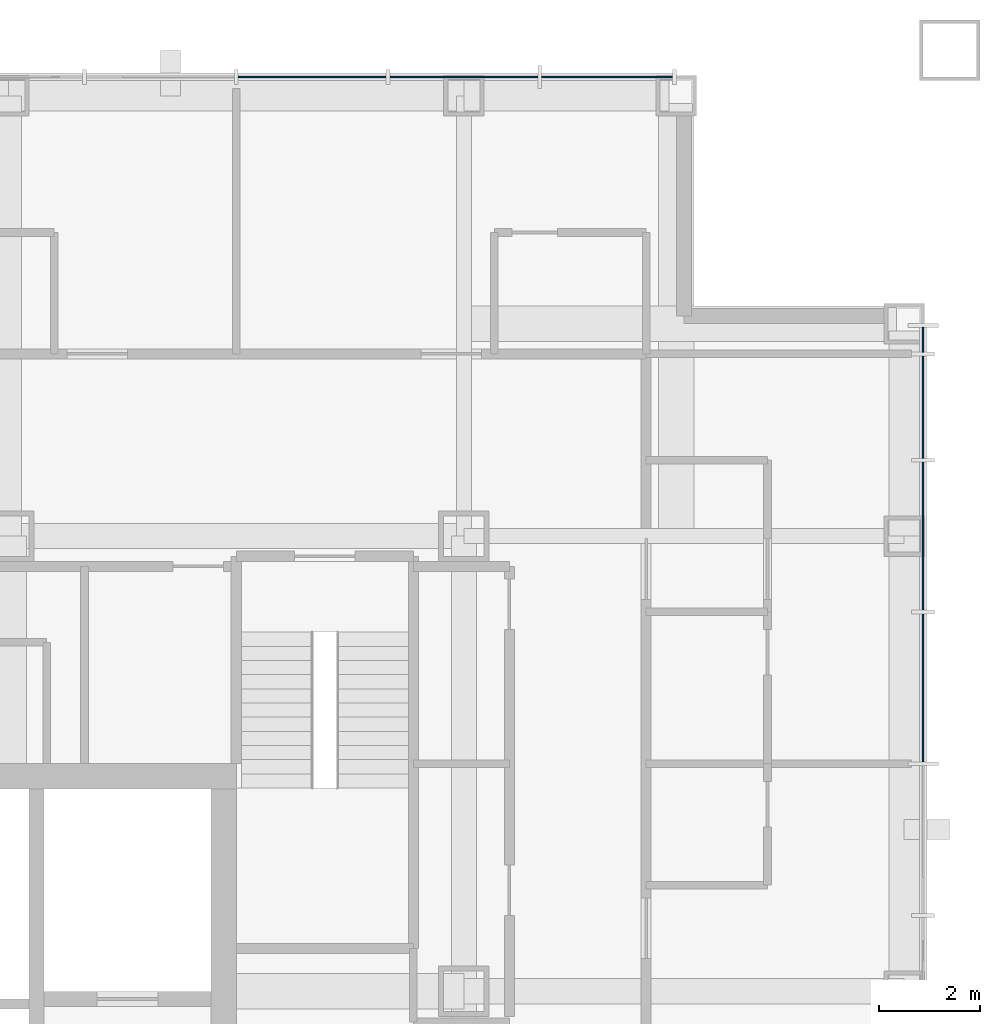
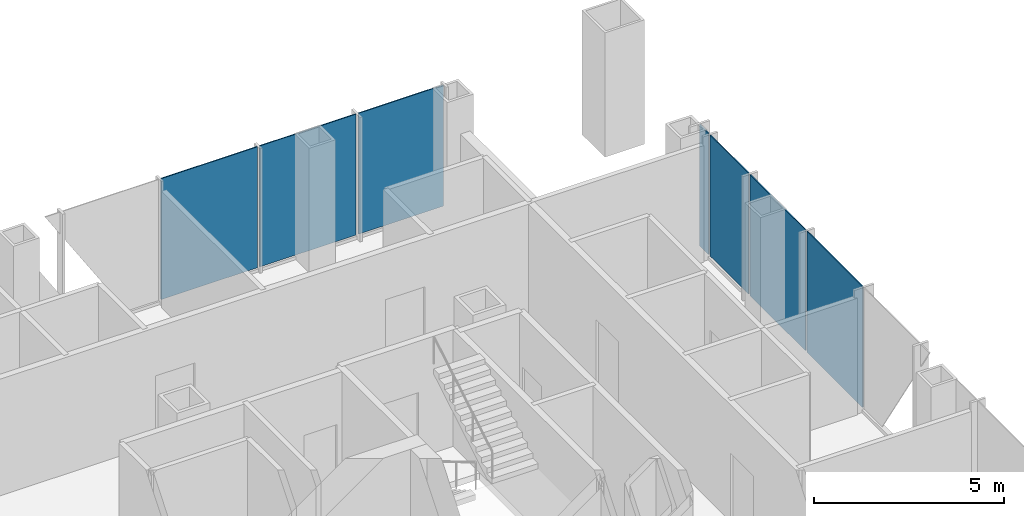
# One storey, part 11 of 20: 7 plates, 2 elements without a shape of their own.
"""IFC4 building model written with IfcOpenShell, lengths in metres."""

import ifcopenshell
import ifcopenshell.guid

model = None  # the IFC model being written
_history = None  # IfcOwnerHistory: only IFC2X3 demands one
_inside = {}  # id of a spatial element -> (the spatial element, [elements in it])
_under = {}  # id of a project, library or spatial element -> (it, [spatial elements below it])
_declared = {}  # id of a project -> (the project, [libraries it declares])
_typed = {}  # id of a type object -> (the type object, [elements of that type])
_made_of = {}  # id of a material, layer set ... -> (it, [elements and type objects made of it])


def new_model(schema):
    """Start an empty IFC model of exactly this schema.

    Asked for "IFC4X3", IfcOpenShell would pick the latest addendum, in which some entities
    have other attributes; the version numbers below select the first issue.
    IFC2X3 requires an IfcOwnerHistory on every rooted entity: one is made here for all.
    """
    global model, _history
    if schema == "IFC4X3":
        model = ifcopenshell.file(schema_version=(4, 3, 0, 0))
    else:
        model = ifcopenshell.file(schema=schema)
    _inside.clear()
    _under.clear()
    _declared.clear()
    _typed.clear()
    _made_of.clear()
    _history = None
    if model.schema == "IFC2X3":
        org = make("IfcOrganization", Name="unknown")
        user = make(
            "IfcPersonAndOrganization",
            ThePerson=make("IfcPerson", FamilyName="unknown"),
            TheOrganization=org,
        )
        app = make(
            "IfcApplication",
            ApplicationDeveloper=org,
            Version="unknown",
            ApplicationFullName="unknown",
            ApplicationIdentifier="unknown",
        )
        _history = make(
            "IfcOwnerHistory",
            OwningUser=user,
            OwningApplication=app,
            ChangeAction="ADDED",
            CreationDate=0,
        )
    return model


def make(cls, **values):
    """One entity of the class cls with the attributes given. An attribute that is None is left unset."""
    return model.create_entity(
        cls, **{name: value for name, value in values.items() if value is not None}
    )


def rooted(cls, **values):
    """An entity with a GlobalId (a new one), such as an element, a storey or a relation."""
    return make(cls, GlobalId=ifcopenshell.guid.new(), OwnerHistory=_history, **values)


def si_unit(unit_type, name, prefix=None):
    """IfcSIUnit, for example si_unit("LENGTHUNIT", "METRE", prefix="MILLI")."""
    return make("IfcSIUnit", UnitType=unit_type, Prefix=prefix, Name=name)


def assignment(units):
    """IfcUnitAssignment: the units of a project."""
    return None if units is None else make("IfcUnitAssignment", Units=units)


def point(xyz):
    """IfcCartesianPoint."""
    return None if xyz is None else make("IfcCartesianPoint", Coordinates=xyz)


def direction(xyz):
    """IfcDirection."""
    return None if xyz is None else make("IfcDirection", DirectionRatios=xyz)


def frame(location, z_axis=None, x_axis=None):
    """IfcAxis2Placement3D, a coordinate frame: its origin and axes. An axis left out is left unset."""
    return make(
        "IfcAxis2Placement3D",
        Location=point(location),
        Axis=direction(z_axis),
        RefDirection=direction(x_axis),
    )


def frame_2d(location, x_axis=None):
    """IfcAxis2Placement2D, a coordinate frame in the plane: its origin and x axis."""
    return make(
        "IfcAxis2Placement2D", Location=point(location), RefDirection=direction(x_axis)
    )


def origin():
    """The frame at (0, 0, 0) with its axes left unset."""
    return frame((0.0, 0.0, 0.0))


def origin_2d():
    """The frame at (0, 0) in the plane with its x axis left unset."""
    return frame_2d((0.0, 0.0))


def place(relative_to, where):
    """IfcLocalPlacement: puts the frame where relative to a parent placement (None: the world)."""
    return make(
        "IfcLocalPlacement", PlacementRelTo=relative_to, RelativePlacement=where
    )


def context(
    kind, dimensions, precision=None, world=None, true_north=None, identifier=None
):
    """IfcGeometricRepresentationContext, for example the 3D "Model" context."""
    return make(
        "IfcGeometricRepresentationContext",
        ContextIdentifier=identifier,
        ContextType=kind,
        CoordinateSpaceDimension=dimensions,
        Precision=precision,
        WorldCoordinateSystem=world,
        TrueNorth=true_north,
    )


def subcontext(parent, identifier, kind, view, scale=None):
    """IfcGeometricRepresentationSubContext, for example "Body" below "Model"."""
    return make(
        "IfcGeometricRepresentationSubContext",
        ContextIdentifier=identifier,
        ContextType=kind,
        ParentContext=parent,
        TargetScale=scale,
        TargetView=view,
    )


def project(units=None, contexts=None):
    """IfcProject with its units and contexts."""
    return rooted(
        "IfcProject",
        Name="project",
        RepresentationContexts=contexts,
        UnitsInContext=assignment(units),
    )


def spatial(cls, under=None, at=None, **own):
    """A site, building, storey or space (cls), placed at a placement, below another one or the project."""
    s = rooted(cls, ObjectPlacement=at, **own)
    if under is not None:
        _under.setdefault(under.id(), (under, []))[1].append(s)
    return s


def profile(cls, at=None, kind="AREA", **sizes):
    """A parametric profile (cls). Its sizes go by their IFC names, for example OverallWidth=200.0."""
    return make(cls, ProfileType=kind, Position=at, **sizes)


def rectangle(**sizes):
    """IfcRectangleProfileDef."""
    return profile("IfcRectangleProfileDef", **sizes)


def extrude(swept, where, along, depth):
    """IfcExtrudedAreaSolid: the profile swept, set in the frame where, extruded along a direction by depth."""
    return make(
        "IfcExtrudedAreaSolid",
        SweptArea=swept,
        Position=where,
        ExtrudedDirection=direction(along),
        Depth=depth,
    )


def shape(context_of_items, identifier, shape_type, items):
    """IfcShapeRepresentation: the items that make up one representation, for example the "Body"."""
    return make(
        "IfcShapeRepresentation",
        ContextOfItems=context_of_items,
        RepresentationIdentifier=identifier,
        RepresentationType=shape_type,
        Items=items,
    )


def material(Name=None, Category=None):
    """IfcMaterial."""
    return make("IfcMaterial", Name=Name, Category=Category)


def layer(
    of_material, thickness, ventilated=None, Name=None, Category=None, Priority=None
):
    """IfcMaterialLayer: one layer of a wall or slab, of a material (None: an air gap)."""
    return make(
        "IfcMaterialLayer",
        Material=of_material,
        LayerThickness=thickness,
        IsVentilated=ventilated,
        Name=Name,
        Category=Category,
        Priority=Priority,
    )


def layer_set(layers, Name=None):
    """IfcMaterialLayerSet."""
    return make("IfcMaterialLayerSet", MaterialLayers=layers, LayerSetName=Name)


def made_of(thing, what):
    """Note that an element or type object is made of a material, layer set ...; save() writes the relation."""
    if what is not None:
        _made_of.setdefault(what.id(), (what, []))[1].append(thing)
    return thing


def type_object(cls, material=None, **own):
    """A type object (cls), such as IfcWallType, which elements share."""
    return made_of(rooted(cls, **own), material)


def element(
    cls,
    number,
    at=None,
    inside=None,
    cuts=None,
    type_object=None,
    material=None,
    context=None,
    identifier="Body",
    shape_type=None,
    held_by="IfcProductDefinitionShape",
    body=None,
    shapes=None,
    **own,
):
    """One element of the class cls, such as IfcWall. Its Tag is "e" and its number.

    at: its placement. inside: the storey or other place that contains it. cuts: it is an
    opening in that element (IfcRelVoidsElement). A single representation is given by context,
    identifier, shape_type and body (its items); several are given by shapes. held_by: the class
    of the entity that holds the representations. save() writes the other relations.
    """
    e = rooted(cls, Tag="e%d" % number, ObjectPlacement=at, **own)
    if body is not None:
        shapes = [shape(context, identifier, shape_type, body)]
    if shapes is not None:
        e.Representation = make(held_by, Representations=shapes)
    if inside is not None:
        _inside.setdefault(inside.id(), (inside, []))[1].append(e)
    if cuts is not None:
        rooted(
            "IfcRelVoidsElement", RelatingBuildingElement=cuts, RelatedOpeningElement=e
        )
    if type_object is not None:
        _typed.setdefault(type_object.id(), (type_object, []))[1].append(e)
    return made_of(e, material)


def aggregate(whole, parts):
    """IfcRelAggregates: a whole, such as a stair, and the parts it consists of."""
    return rooted("IfcRelAggregates", RelatingObject=whole, RelatedObjects=parts)


def save(model, path):
    """Write the relations noted so far, then the file.

    IfcRelAggregates (storeys below a building ...), IfcRelContainedInSpatialStructure (elements
    in a storey), IfcRelDefinesByType, IfcRelAssociatesMaterial and IfcRelDeclares: one each for
    every whole, place, type object, material and project.
    """
    for whole, parts in _under.values():
        aggregate(whole, parts)
    for where, things in _inside.values():
        rooted(
            "IfcRelContainedInSpatialStructure",
            RelatedElements=things,
            RelatingStructure=where,
        )
    for kind, things in _typed.values():
        rooted("IfcRelDefinesByType", RelatedObjects=things, RelatingType=kind)
    for what, things in _made_of.values():
        rooted("IfcRelAssociatesMaterial", RelatedObjects=things, RelatingMaterial=what)
    for by, libraries in _declared.values():
        rooted("IfcRelDeclares", RelatingContext=by, RelatedDefinitions=libraries)
    model.write(path)


model = new_model("IFC4")

# Units and contexts
model_context = context("Model", 3, precision=1e-05, world=origin(), true_north=direction((0.0, 1.0)))
body_context = subcontext(model_context, "Body", "Model", "MODEL_VIEW")
ifc_project = project(units=[si_unit("LENGTHUNIT", "METRE"), si_unit("AREAUNIT", "SQUARE_METRE"), si_unit("VOLUMEUNIT", "CUBIC_METRE"), si_unit("PLANEANGLEUNIT", "RADIAN"), si_unit("MASSUNIT", "GRAM", prefix="KILO")], contexts=[model_context])

# Site, building, storey
site_placement = place(None, origin())
site = spatial("IfcSite", under=ifc_project, at=site_placement, CompositionType="ELEMENT")
building_placement = place(site_placement, origin())
building = spatial("IfcBuilding", under=site, at=building_placement, Name="Malebo Sky Hospital", CompositionType="ELEMENT")
storey_placement = place(building_placement, frame((0.0, 0.0, 233.0)))
storey = spatial("IfcBuildingStorey", under=building, at=storey_placement, Name="L56", CompositionType="ELEMENT", Elevation=233.0)

# Curtain wall, plates
ifc_material_1 = material(Name="Anodised aluminium, natural silver", Category="aluminium")
ifc_layer_1 = layer(ifc_material_1, 0.25)
ifc_layer_set_1 = layer_set([ifc_layer_1], Name="WARD CURTAIN WALL NORTH AND SOUTH")
curtain_wall_type_1 = type_object("IfcCurtainWallType", Name="WARD CURTAIN WALL NORTH AND SOUTH", PredefinedType="NOTDEFINED", material=ifc_layer_set_1)
curtain_wall_1_placement = place(storey_placement, origin())
curtain_wall_1 = element("IfcCurtainWall", 1, at=curtain_wall_1_placement, inside=storey, type_object=curtain_wall_type_1, Name="NS curtain wall N", PredefinedType="NOTDEFINED")
ifc_material_2 = material(Name="Clear low-iron double glazing", Category="glass")
ifc_layer_2 = layer(ifc_material_2, 0.031982421875)
ifc_layer_set_2 = layer_set([ifc_layer_2], Name="VISION PANEL CLEAR 32")
plate_type = type_object("IfcPlateType", Name="VISION PANEL CLEAR 32", PredefinedType="CURTAIN_PANEL", material=ifc_layer_set_2)
plate_1_placement = place(storey_placement, frame((70.5, 84.574951171875, 0.10009765625), z_axis=(0.0, 0.0, 1.0), x_axis=(1.0, 0.0, 0.0)))
plate_1 = element("IfcPlate", 2, at=plate_1_placement, type_object=plate_type, Name="Panel 11", PredefinedType="CURTAIN_PANEL", context=body_context, shape_type="SweptSolid", body=[
    extrude(rectangle(XDim=2.925048828125, YDim=0.031982421875, at=origin_2d()), origin(), (0.0, 0.0, 1.0), 3.889892578125),
])
plate_2_placement = place(storey_placement, frame((73.5, 84.574951171875, 0.10009765625), z_axis=(0.0, 0.0, 1.0), x_axis=(1.0, 0.0, 0.0)))
plate_2 = element("IfcPlate", 3, at=plate_2_placement, type_object=plate_type, Name="Panel 12", PredefinedType="CURTAIN_PANEL", context=body_context, shape_type="SweptSolid", body=[
    extrude(rectangle(XDim=2.925048828125, YDim=0.031982421875, at=origin_2d()), origin(), (0.0, 0.0, 1.0), 3.889892578125),
])
plate_3_placement = place(storey_placement, frame((76.331298828125, 84.574951171875, 0.10009765625), z_axis=(0.0, 0.0, 1.0), x_axis=(1.0, 0.0, 0.0)))
plate_3 = element("IfcPlate", 4, at=plate_3_placement, type_object=plate_type, Name="Panel 13", PredefinedType="CURTAIN_PANEL", context=body_context, shape_type="SweptSolid", body=[
    extrude(rectangle(XDim=2.58740234375, YDim=0.031982421875, at=origin_2d()), origin(), (0.0, 0.0, 1.0), 3.889892578125),
])
aggregate(curtain_wall_1, [plate_1, plate_2, plate_3])

ifc_layer_3 = layer(ifc_material_1, 0.25)
ifc_layer_set_3 = layer_set([ifc_layer_3], Name="WARD CURTAIN WALL EAST AND WEST")
curtain_wall_type_2 = type_object("IfcCurtainWallType", Name="WARD CURTAIN WALL EAST AND WEST", PredefinedType="NOTDEFINED", material=ifc_layer_set_3)
curtain_wall_2_placement = place(storey_placement, origin())
curtain_wall_2 = element("IfcCurtainWall", 5, at=curtain_wall_2_placement, inside=storey, type_object=curtain_wall_type_2, Name="EW curtain wall E", PredefinedType="NOTDEFINED")
plate_4_placement = place(storey_placement, frame((82.574951171875, 79.38134765625, 0.10009765625), z_axis=(0.0, 0.0, 1.0), x_axis=(0.0, -1.0, 0.0)))
plate_4 = element("IfcPlate", 6, at=plate_4_placement, type_object=plate_type, Name="Panel 1", PredefinedType="CURTAIN_PANEL", context=body_context, shape_type="SweptSolid", body=[
    extrude(rectangle(XDim=0.487548828125, YDim=0.031982421875, at=origin_2d()), origin(), (0.0, 0.0, 1.0), 3.889892578125),
])
plate_5_placement = place(storey_placement, frame((82.574951171875, 78.050048828125, 0.10009765625), z_axis=(0.0, 0.0, 1.0), x_axis=(0.0, -1.0, 0.0)))
plate_5 = element("IfcPlate", 7, at=plate_5_placement, type_object=plate_type, Name="Panel 2", PredefinedType="CURTAIN_PANEL", context=body_context, shape_type="SweptSolid", body=[
    extrude(rectangle(XDim=2.02490234375, YDim=0.031982421875, at=origin_2d()), origin(), (0.0, 0.0, 1.0), 3.889892578125),
])
plate_6_placement = place(storey_placement, frame((82.574951171875, 75.5, 0.10009765625), z_axis=(0.0, 0.0, 1.0), x_axis=(0.0, -1.0, 0.0)))
plate_6 = element("IfcPlate", 8, at=plate_6_placement, type_object=plate_type, Name="Panel 3", PredefinedType="CURTAIN_PANEL", context=body_context, shape_type="SweptSolid", body=[
    extrude(rectangle(XDim=2.925048828125, YDim=0.031982421875, at=origin_2d()), origin(), (0.0, 0.0, 1.0), 3.889892578125),
])
plate_7_placement = place(storey_placement, frame((82.574951171875, 72.5, 0.10009765625), z_axis=(0.0, 0.0, 1.0), x_axis=(0.0, -1.0, 0.0)))
plate_7 = element("IfcPlate", 9, at=plate_7_placement, type_object=plate_type, Name="Panel 4", PredefinedType="CURTAIN_PANEL", context=body_context, shape_type="SweptSolid", body=[
    extrude(rectangle(XDim=2.925048828125, YDim=0.031982421875, at=origin_2d()), origin(), (0.0, 0.0, 1.0), 3.889892578125),
])
aggregate(curtain_wall_2, [plate_4, plate_5, plate_6, plate_7])

save(model, "model.ifc")
